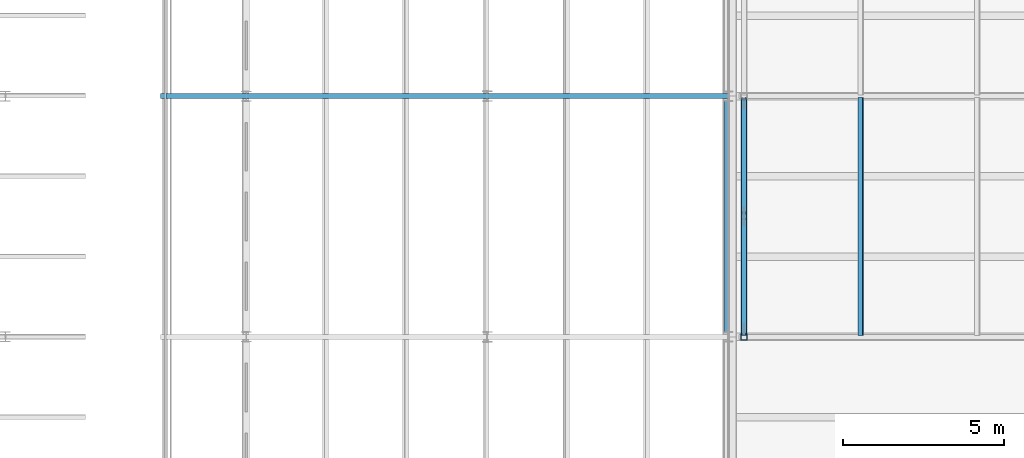
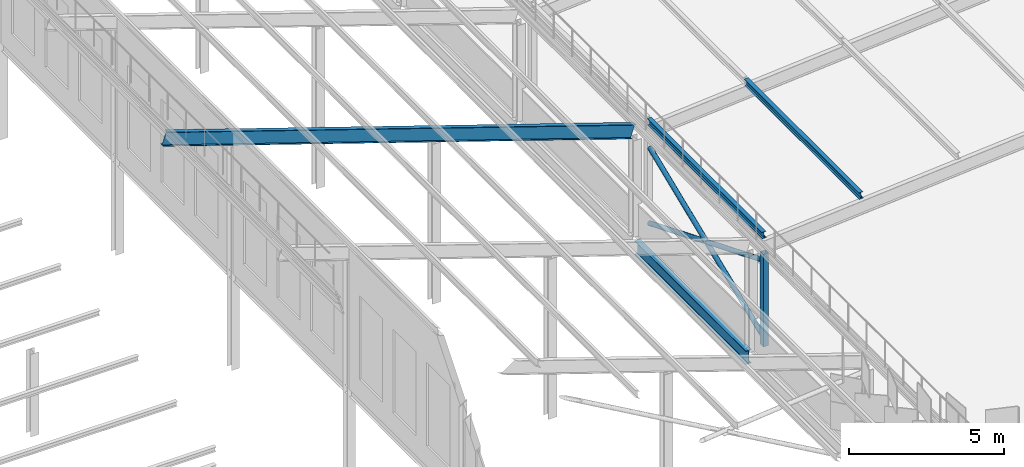
# One storey, part 67 of 483: 6 members, 2 beams.
"""IFC4 building model written with IfcOpenShell, lengths in metres."""

from ifc_helpers import new_model, si_unit, direction, frame, origin, origin_2d, place, context, subcontext, project, spatial, hollow_rectangle, hollow_circle, i_section, extrude, material, material_profile, profile_set, type_object, element, save


model = new_model("IFC4")

# Units and contexts
model_context = context("Model", 3, precision=1e-05, world=origin(), true_north=direction((0.0, 1.0)))
body_context = subcontext(model_context, "Body", "Model", "MODEL_VIEW")
ifc_project = project(units=[si_unit("LENGTHUNIT", "METRE"), si_unit("AREAUNIT", "SQUARE_METRE"), si_unit("VOLUMEUNIT", "CUBIC_METRE"), si_unit("PLANEANGLEUNIT", "RADIAN"), si_unit("MASSUNIT", "GRAM", prefix="KILO")], contexts=[model_context])

# Site, building, storey
site_placement = place(None, origin())
site = spatial("IfcSite", under=ifc_project, at=site_placement, CompositionType="ELEMENT")
building_placement = place(site_placement, origin())
building = spatial("IfcBuilding", under=site, at=building_placement, Name="Parallax Yard Mobility Hub", CompositionType="ELEMENT")
storey_placement = place(building_placement, frame((0.0, 0.0, 13.199951171875)))
storey = spatial("IfcBuildingStorey", under=building, at=storey_placement, Name="L04", CompositionType="ELEMENT", Elevation=13.199951171875)

# Members
ifc_material_1 = material(Name="Steel ASTM A500 Gr C", Category="steel")
ifc_material_profile_1 = material_profile(ifc_material_1, hollow_circle(Radius=0.0888671875, WallThickness=0.0078125, at=origin_2d()), Name="HSS177.8x7.9")
ifc_profile_set_1 = profile_set([ifc_material_profile_1], Name="Steel ASTM A500 Gr C")
member_type_1 = type_object("IfcMemberType", Name="Canopy brace HSS177.8x7.9", PredefinedType="BRACE", material=ifc_profile_set_1)
member_1_placement = place(storey_placement, frame((195.5, 37.586669921875, 0.300048828125), z_axis=(0.0, 0.925869010623, 0.377844644222), x_axis=(-1.0, 0.0, 0.0)))
element("IfcMember", 1, at=member_1_placement, inside=storey, type_object=member_type_1, Name="Canopy X brace RA bay E-A bay 1 diagonal A", PredefinedType="BRACE", context=body_context, shape_type="SweptSolid", body=[
    extrude(hollow_circle(Radius=0.0888671875, WallThickness=0.0078125, at=origin_2d()), origin(), (0.0, 0.0, 1.0), 7.913330078125),
])
for number, where, z_axis, x_axis, name in (
    (2, (195.5, 44.913330078125, 0.300048828125), (0.0, -0.925875790589, 0.377828030196), (1.0, 0.0, 0.0), "Canopy X brace RA bay E-A bay 1 diagonal B part 1"),
    (3, (195.5, 41.1416015625, 1.83935546875), (0.0, -0.925875790589, 0.377828030196), (1.0, 0.0, 0.0), "Canopy X brace RA bay E-A bay 1 diagonal B part 2"),
):
    element("IfcMember", number, at=place(storey_placement, frame(where, z_axis=z_axis, x_axis=x_axis)), inside=storey, type_object=member_type_1, Name=name, PredefinedType="BRACE", context=body_context, shape_type="SweptSolid", body=[
        extrude(hollow_circle(Radius=0.0888671875, WallThickness=0.0078125, at=origin_2d()), origin(), (0.0, 0.0, 1.0), 3.839599609375),
    ])
ifc_material_profile_2 = material_profile(ifc_material_1, hollow_rectangle(XDim=0.203125, YDim=0.203125, WallThickness=0.009521484375, at=origin_2d()), Name="HSS203x203x9.5")
ifc_profile_set_2 = profile_set([ifc_material_profile_2], Name="Steel ASTM A500 Gr C")
member_type_2 = type_object("IfcMemberType", Name="Canopy post HSS203x203x9.5", PredefinedType="POST", material=ifc_profile_set_2)
member_2_placement = place(storey_placement, frame((195.5, 37.5, 0.0), z_axis=(0.0, 0.0, 1.0), x_axis=(1.0, 0.0, 0.0)))
element("IfcMember", 4, at=member_2_placement, inside=storey, type_object=member_type_2, Name="Canopy post RA/E-A1", PredefinedType="POST", context=body_context, shape_type="SweptSolid", body=[
    extrude(hollow_rectangle(XDim=0.203125, YDim=0.203125, WallThickness=0.009521484375, at=origin_2d()), origin(), (0.0, 0.0, 1.0), 3.650146484375),
])
ifc_material_2 = material(Name="Steel ASTM A992", Category="steel")
ifc_material_profile_3 = material_profile(ifc_material_2, i_section(OverallWidth=0.14794921875, OverallDepth=0.26611328125, WebThickness=0.007568359375, FlangeThickness=0.012939453125, at=origin_2d()), Name="W250x45")
ifc_profile_set_3 = profile_set([ifc_material_profile_3], Name="Steel ASTM A992")
member_type_3 = type_object("IfcMemberType", Name="Canopy purlin W250x45", PredefinedType="PURLIN", material=ifc_profile_set_3)
for number, where, z_axis, x_axis, name in (
    (5, (195.510498046875, 37.5400390625, 4.302001953125), (0.0, 1.0, 0.0), (-0.996815308126, 0.0, -0.079744852409), "Canopy purlin sector E-A bay 1 line 1"),
    (6, (199.135498046875, 37.5400390625, 4.592041015625), (0.0, 1.0, 0.0), (-0.996815308126, 0.0, -0.079744852409), "Canopy purlin sector E-A bay 1 line 2"),
):
    element("IfcMember", number, at=place(storey_placement, frame(where, z_axis=z_axis, x_axis=x_axis)), inside=storey, type_object=member_type_3, Name=name, PredefinedType="PURLIN", context=body_context, shape_type="SweptSolid", body=[
        extrude(i_section(OverallWidth=0.14794921875, OverallDepth=0.26611328125, WebThickness=0.007568359375, FlangeThickness=0.012939453125, at=origin_2d()), origin(), (0.0, 0.0, 1.0), 7.419921875),
    ])

# Beams
ifc_material_profile_4 = material_profile(ifc_material_2, i_section(OverallWidth=0.166015625, OverallDepth=0.529052734375, WebThickness=0.009765625, FlangeThickness=0.013671875, at=origin_2d()), Name="W530x74")
ifc_profile_set_4 = profile_set([ifc_material_profile_4], Name="Steel ASTM A992")
beam_type_1 = type_object("IfcBeamType", Name="Roof rafter W530x74", PredefinedType="BEAM", material=ifc_profile_set_4)
beam_1_placement = place(storey_placement, frame((177.41650390625, 45.0, 9.93994140625), z_axis=(0.948684621542, 0.0, -0.316223795515), x_axis=(0.0, 1.0, 0.0)))
element("IfcBeam", 7, at=beam_1_placement, inside=storey, type_object=beam_type_1, Name="Roof rafter at y 45", PredefinedType="BEAM", context=body_context, shape_type="SweptSolid", body=[
    extrude(i_section(OverallWidth=0.166015625, OverallDepth=0.529052734375, WebThickness=0.009765625, FlangeThickness=0.013671875, at=origin_2d()), origin(), (0.0, 0.0, 1.0), 18.446533203125),
])
ifc_material_profile_5 = material_profile(ifc_material_2, i_section(OverallWidth=0.208984375, OverallDepth=0.532958984375, WebThickness=0.01025390625, FlangeThickness=0.015625, FilletRadius=0.0126953125, at=origin_2d()), Name="W530x92")
ifc_profile_set_5 = profile_set([ifc_material_profile_5], Name="Steel ASTM A992")
beam_type_2 = type_object("IfcBeamType", Name="W530x92 edge beam", PredefinedType="SPANDREL", material=ifc_profile_set_5)
beam_2_placement = place(storey_placement, frame((195.0, 37.652587890625, -0.406494140625), z_axis=(0.0, 1.0, 0.0), x_axis=(-1.0, 0.0, 0.0)))
element("IfcBeam", 8, at=beam_2_placement, inside=storey, type_object=beam_type_2, Name="Edge beam SB5 level L04, line 27 of ramped parking decks, span 2", PredefinedType="SPANDREL", context=body_context, shape_type="SweptSolid", body=[
    extrude(i_section(OverallWidth=0.208984375, OverallDepth=0.532958984375, WebThickness=0.01025390625, FlangeThickness=0.015625, FilletRadius=0.0126953125, at=origin_2d()), origin(), (0.0, 0.0, 1.0), 7.19482421875),
])

save(model, "model.ifc")
